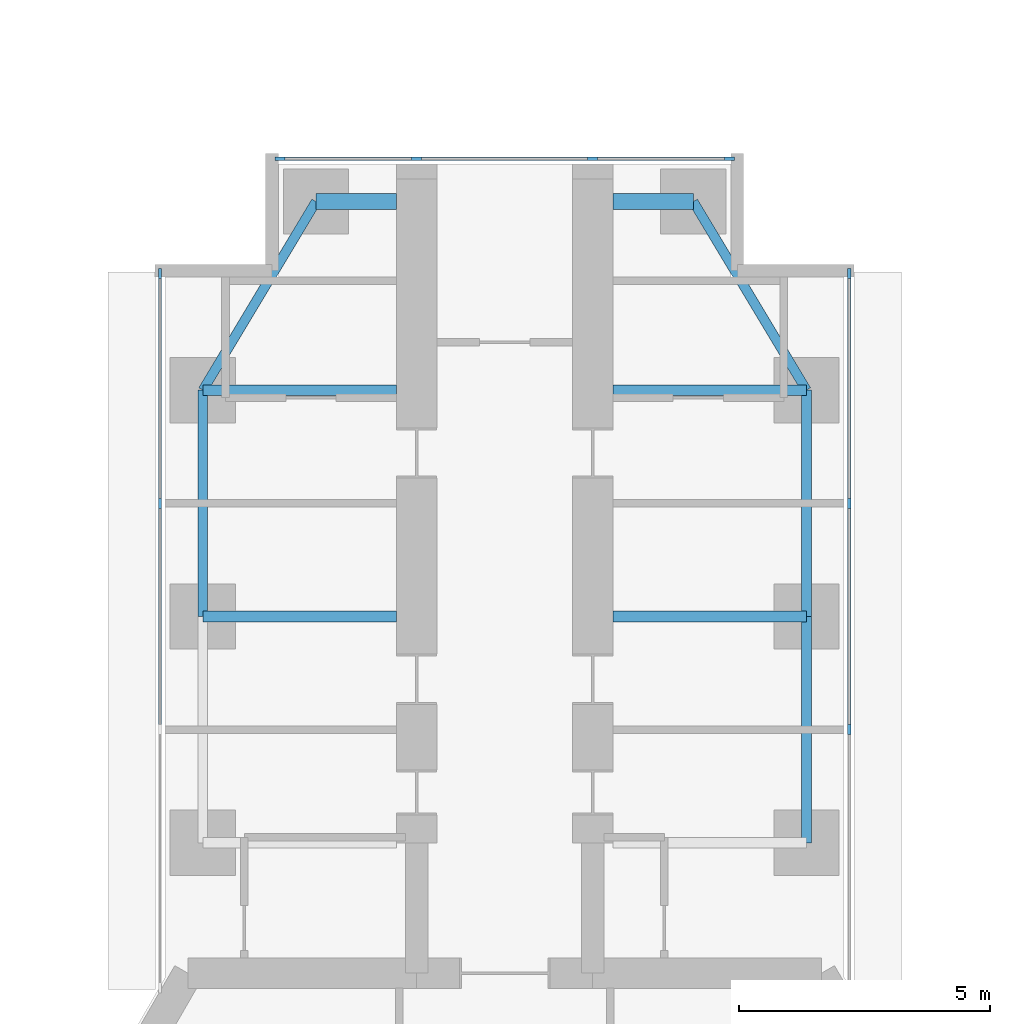
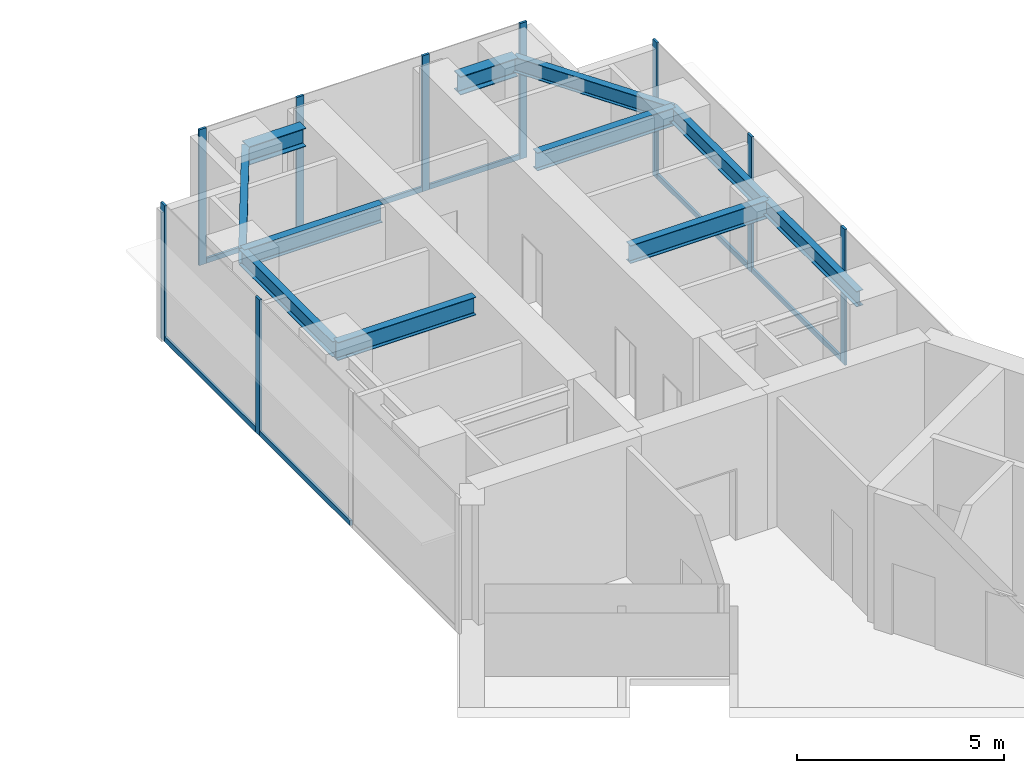
# One storey, part 12 of 22: 16 members, 11 beams, 3 elements without a shape of their own.
"""IFC4 building model written with IfcOpenShell, lengths in metres."""

import ifcopenshell
import ifcopenshell.guid

model = None  # the IFC model being written
_history = None  # IfcOwnerHistory: only IFC2X3 demands one
_inside = {}  # id of a spatial element -> (the spatial element, [elements in it])
_under = {}  # id of a project, library or spatial element -> (it, [spatial elements below it])
_declared = {}  # id of a project -> (the project, [libraries it declares])
_typed = {}  # id of a type object -> (the type object, [elements of that type])
_made_of = {}  # id of a material, layer set ... -> (it, [elements and type objects made of it])


def new_model(schema):
    """Start an empty IFC model of exactly this schema.

    Asked for "IFC4X3", IfcOpenShell would pick the latest addendum, in which some entities
    have other attributes; the version numbers below select the first issue.
    IFC2X3 requires an IfcOwnerHistory on every rooted entity: one is made here for all.
    """
    global model, _history
    if schema == "IFC4X3":
        model = ifcopenshell.file(schema_version=(4, 3, 0, 0))
    else:
        model = ifcopenshell.file(schema=schema)
    _inside.clear()
    _under.clear()
    _declared.clear()
    _typed.clear()
    _made_of.clear()
    _history = None
    if model.schema == "IFC2X3":
        org = make("IfcOrganization", Name="unknown")
        user = make(
            "IfcPersonAndOrganization",
            ThePerson=make("IfcPerson", FamilyName="unknown"),
            TheOrganization=org,
        )
        app = make(
            "IfcApplication",
            ApplicationDeveloper=org,
            Version="unknown",
            ApplicationFullName="unknown",
            ApplicationIdentifier="unknown",
        )
        _history = make(
            "IfcOwnerHistory",
            OwningUser=user,
            OwningApplication=app,
            ChangeAction="ADDED",
            CreationDate=0,
        )
    return model


def make(cls, **values):
    """One entity of the class cls with the attributes given. An attribute that is None is left unset."""
    return model.create_entity(
        cls, **{name: value for name, value in values.items() if value is not None}
    )


def rooted(cls, **values):
    """An entity with a GlobalId (a new one), such as an element, a storey or a relation."""
    return make(cls, GlobalId=ifcopenshell.guid.new(), OwnerHistory=_history, **values)


def si_unit(unit_type, name, prefix=None):
    """IfcSIUnit, for example si_unit("LENGTHUNIT", "METRE", prefix="MILLI")."""
    return make("IfcSIUnit", UnitType=unit_type, Prefix=prefix, Name=name)


def assignment(units):
    """IfcUnitAssignment: the units of a project."""
    return None if units is None else make("IfcUnitAssignment", Units=units)


def point(xyz):
    """IfcCartesianPoint."""
    return None if xyz is None else make("IfcCartesianPoint", Coordinates=xyz)


def direction(xyz):
    """IfcDirection."""
    return None if xyz is None else make("IfcDirection", DirectionRatios=xyz)


def frame(location, z_axis=None, x_axis=None):
    """IfcAxis2Placement3D, a coordinate frame: its origin and axes. An axis left out is left unset."""
    return make(
        "IfcAxis2Placement3D",
        Location=point(location),
        Axis=direction(z_axis),
        RefDirection=direction(x_axis),
    )


def frame_2d(location, x_axis=None):
    """IfcAxis2Placement2D, a coordinate frame in the plane: its origin and x axis."""
    return make(
        "IfcAxis2Placement2D", Location=point(location), RefDirection=direction(x_axis)
    )


def origin():
    """The frame at (0, 0, 0) with its axes left unset."""
    return frame((0.0, 0.0, 0.0))


def origin_2d():
    """The frame at (0, 0) in the plane with its x axis left unset."""
    return frame_2d((0.0, 0.0))


def place(relative_to, where):
    """IfcLocalPlacement: puts the frame where relative to a parent placement (None: the world)."""
    return make(
        "IfcLocalPlacement", PlacementRelTo=relative_to, RelativePlacement=where
    )


def context(
    kind, dimensions, precision=None, world=None, true_north=None, identifier=None
):
    """IfcGeometricRepresentationContext, for example the 3D "Model" context."""
    return make(
        "IfcGeometricRepresentationContext",
        ContextIdentifier=identifier,
        ContextType=kind,
        CoordinateSpaceDimension=dimensions,
        Precision=precision,
        WorldCoordinateSystem=world,
        TrueNorth=true_north,
    )


def subcontext(parent, identifier, kind, view, scale=None):
    """IfcGeometricRepresentationSubContext, for example "Body" below "Model"."""
    return make(
        "IfcGeometricRepresentationSubContext",
        ContextIdentifier=identifier,
        ContextType=kind,
        ParentContext=parent,
        TargetScale=scale,
        TargetView=view,
    )


def project(units=None, contexts=None):
    """IfcProject with its units and contexts."""
    return rooted(
        "IfcProject",
        Name="project",
        RepresentationContexts=contexts,
        UnitsInContext=assignment(units),
    )


def spatial(cls, under=None, at=None, **own):
    """A site, building, storey or space (cls), placed at a placement, below another one or the project."""
    s = rooted(cls, ObjectPlacement=at, **own)
    if under is not None:
        _under.setdefault(under.id(), (under, []))[1].append(s)
    return s


def profile(cls, at=None, kind="AREA", **sizes):
    """A parametric profile (cls). Its sizes go by their IFC names, for example OverallWidth=200.0."""
    return make(cls, ProfileType=kind, Position=at, **sizes)


def rectangle(**sizes):
    """IfcRectangleProfileDef."""
    return profile("IfcRectangleProfileDef", **sizes)


def i_section(**sizes):
    """IfcIShapeProfileDef."""
    return profile("IfcIShapeProfileDef", **sizes)


def extrude(swept, where, along, depth):
    """IfcExtrudedAreaSolid: the profile swept, set in the frame where, extruded along a direction by depth."""
    return make(
        "IfcExtrudedAreaSolid",
        SweptArea=swept,
        Position=where,
        ExtrudedDirection=direction(along),
        Depth=depth,
    )


def shape(context_of_items, identifier, shape_type, items):
    """IfcShapeRepresentation: the items that make up one representation, for example the "Body"."""
    return make(
        "IfcShapeRepresentation",
        ContextOfItems=context_of_items,
        RepresentationIdentifier=identifier,
        RepresentationType=shape_type,
        Items=items,
    )


def material(Name=None, Category=None):
    """IfcMaterial."""
    return make("IfcMaterial", Name=Name, Category=Category)


def material_profile(
    of_material, cross_section, Name=None, Category=None, Priority=None
):
    """IfcMaterialProfile: a cross section and its material."""
    return make(
        "IfcMaterialProfile",
        Name=Name,
        Material=of_material,
        Profile=cross_section,
        Priority=Priority,
        Category=Category,
    )


def profile_set(profiles, Name=None, composite=None):
    """IfcMaterialProfileSet."""
    return make(
        "IfcMaterialProfileSet",
        Name=Name,
        MaterialProfiles=profiles,
        CompositeProfile=composite,
    )


def made_of(thing, what):
    """Note that an element or type object is made of a material, layer set ...; save() writes the relation."""
    if what is not None:
        _made_of.setdefault(what.id(), (what, []))[1].append(thing)
    return thing


def type_object(cls, material=None, **own):
    """A type object (cls), such as IfcWallType, which elements share."""
    return made_of(rooted(cls, **own), material)


def element(
    cls,
    number,
    at=None,
    inside=None,
    cuts=None,
    type_object=None,
    material=None,
    context=None,
    identifier="Body",
    shape_type=None,
    held_by="IfcProductDefinitionShape",
    body=None,
    shapes=None,
    **own,
):
    """One element of the class cls, such as IfcWall. Its Tag is "e" and its number.

    at: its placement. inside: the storey or other place that contains it. cuts: it is an
    opening in that element (IfcRelVoidsElement). A single representation is given by context,
    identifier, shape_type and body (its items); several are given by shapes. held_by: the class
    of the entity that holds the representations. save() writes the other relations.
    """
    e = rooted(cls, Tag="e%d" % number, ObjectPlacement=at, **own)
    if body is not None:
        shapes = [shape(context, identifier, shape_type, body)]
    if shapes is not None:
        e.Representation = make(held_by, Representations=shapes)
    if inside is not None:
        _inside.setdefault(inside.id(), (inside, []))[1].append(e)
    if cuts is not None:
        rooted(
            "IfcRelVoidsElement", RelatingBuildingElement=cuts, RelatedOpeningElement=e
        )
    if type_object is not None:
        _typed.setdefault(type_object.id(), (type_object, []))[1].append(e)
    return made_of(e, material)


def aggregate(whole, parts):
    """IfcRelAggregates: a whole, such as a stair, and the parts it consists of."""
    return rooted("IfcRelAggregates", RelatingObject=whole, RelatedObjects=parts)


def save(model, path):
    """Write the relations noted so far, then the file.

    IfcRelAggregates (storeys below a building ...), IfcRelContainedInSpatialStructure (elements
    in a storey), IfcRelDefinesByType, IfcRelAssociatesMaterial and IfcRelDeclares: one each for
    every whole, place, type object, material and project.
    """
    for whole, parts in _under.values():
        aggregate(whole, parts)
    for where, things in _inside.values():
        rooted(
            "IfcRelContainedInSpatialStructure",
            RelatedElements=things,
            RelatingStructure=where,
        )
    for kind, things in _typed.values():
        rooted("IfcRelDefinesByType", RelatedObjects=things, RelatingType=kind)
    for what, things in _made_of.values():
        rooted("IfcRelAssociatesMaterial", RelatedObjects=things, RelatingMaterial=what)
    for by, libraries in _declared.values():
        rooted("IfcRelDeclares", RelatingContext=by, RelatedDefinitions=libraries)
    model.write(path)


model = new_model("IFC4")

# Units and contexts
model_context = context("Model", 3, precision=1e-05, world=origin(), true_north=direction((0.0, 1.0)))
body_context = subcontext(model_context, "Body", "Model", "MODEL_VIEW")
ifc_project = project(units=[si_unit("LENGTHUNIT", "METRE"), si_unit("AREAUNIT", "SQUARE_METRE"), si_unit("VOLUMEUNIT", "CUBIC_METRE"), si_unit("PLANEANGLEUNIT", "RADIAN"), si_unit("MASSUNIT", "GRAM", prefix="KILO")], contexts=[model_context])

# Site, building, storey
site_placement = place(None, origin())
site = spatial("IfcSite", under=ifc_project, at=site_placement, CompositionType="ELEMENT")
building_placement = place(site_placement, origin())
building = spatial("IfcBuilding", under=site, at=building_placement, Name="Upepo Twin Towers", CompositionType="ELEMENT")
storey_placement = place(building_placement, frame((0.0, 0.0, 133.5)))
storey = spatial("IfcBuildingStorey", under=building, at=storey_placement, Name="L32", CompositionType="ELEMENT", Elevation=133.5)

# Beams
ifc_material_1 = material(Name="Steel S355", Category="steel")
ifc_material_profile_1 = material_profile(ifc_material_1, i_section(OverallWidth=0.1904296875, OverallDepth=0.45703125, WebThickness=0.009033203125, FlangeThickness=0.014404296875, FilletRadius=0.01025390625, at=origin_2d()), Name="UB 457x191x74")
ifc_profile_set_1 = profile_set([ifc_material_profile_1], Name="Steel S355")
beam_type_1 = type_object("IfcBeamType", Name="Beam UB 457x191x74", PredefinedType="BEAM", material=ifc_profile_set_1)
beam_1_placement = place(storey_placement, frame((52.5, 0.0, 3.571533203125), z_axis=(0.0, 1.0, 0.0), x_axis=(-1.0, 0.0, 0.0)))
element("IfcBeam", 1, at=beam_1_placement, inside=storey, type_object=beam_type_1, Name="T2 edge beam AL 18.0-22.5", PredefinedType="BEAM", context=body_context, shape_type="SweptSolid", body=[
    extrude(i_section(OverallWidth=0.1904296875, OverallDepth=0.45703125, WebThickness=0.009033203125, FlangeThickness=0.014404296875, FilletRadius=0.01025390625, at=origin_2d()), origin(), (0.0, 0.0, 1.0), 4.5),
])
beam_2_placement = place(storey_placement, frame((52.5, 4.5, 3.571533203125), z_axis=(0.514495755428, 0.857492925713, 0.0), x_axis=(-0.857492925713, 0.514495755428, 0.0)))
element("IfcBeam", 2, at=beam_2_placement, inside=storey, type_object=beam_type_1, Name="T2 nose edge beam AL", PredefinedType="BEAM", context=body_context, shape_type="SweptSolid", body=[
    extrude(i_section(OverallWidth=0.1904296875, OverallDepth=0.45703125, WebThickness=0.009033203125, FlangeThickness=0.014404296875, FilletRadius=0.01025390625, at=origin_2d()), origin(), (0.0, 0.0, 1.0), 4.373291015625),
])
for number, where, z_axis, x_axis, name in (
    (3, (64.5, -4.5, 3.571533203125), (0.0, 1.0, 0.0), (-1.0, 0.0, 0.0), "T2 edge beam AR 13.5-18.0"),
    (4, (64.5, 0.0, 3.571533203125), (0.0, 1.0, 0.0), (-1.0, 0.0, 0.0), "T2 edge beam AR 18.0-22.5"),
):
    element("IfcBeam", number, at=place(storey_placement, frame(where, z_axis=z_axis, x_axis=x_axis)), inside=storey, type_object=beam_type_1, Name=name, PredefinedType="BEAM", context=body_context, shape_type="SweptSolid", body=[
        extrude(i_section(OverallWidth=0.1904296875, OverallDepth=0.45703125, WebThickness=0.009033203125, FlangeThickness=0.014404296875, FilletRadius=0.01025390625, at=origin_2d()), origin(), (0.0, 0.0, 1.0), 4.5),
    ])
beam_3_placement = place(storey_placement, frame((64.5, 4.5, 3.571533203125), z_axis=(-0.514495755428, 0.857492925713, 0.0), x_axis=(-0.857492925713, -0.514495755428, 0.0)))
element("IfcBeam", 5, at=beam_3_placement, inside=storey, type_object=beam_type_1, Name="T2 nose edge beam AR", PredefinedType="BEAM", context=body_context, shape_type="SweptSolid", body=[
    extrude(i_section(OverallWidth=0.1904296875, OverallDepth=0.45703125, WebThickness=0.009033203125, FlangeThickness=0.014404296875, FilletRadius=0.01025390625, at=origin_2d()), origin(), (0.0, 0.0, 1.0), 4.373291015625),
])
ifc_material_2 = material(Name="Steel S355", Category="steel")
ifc_material_profile_2 = material_profile(ifc_material_2, i_section(OverallWidth=0.209228515625, OverallDepth=0.533203125, WebThickness=0.010009765625, FlangeThickness=0.015625, FilletRadius=0.0126953125, at=origin_2d()), Name="UB 533x210x92")
ifc_profile_set_2 = profile_set([ifc_material_profile_2], Name="Steel S355")
beam_type_2 = type_object("IfcBeamType", Name="Beam UB 533x210x92", PredefinedType="BEAM", material=ifc_profile_set_2)
for number, where, z_axis, x_axis, name in (
    (6, (52.5, 0.0, 3.533447265625), (1.0, 0.0, 0.0), (0.0, 1.0, 0.0), "T2 girder AL at 18.0"),
    (7, (52.5, 4.5, 3.533447265625), (1.0, 0.0, 0.0), (0.0, 1.0, 0.0), "T2 girder AL at 22.5"),
    (8, (64.5, 0.0, 3.533447265625), (-1.0, 0.0, 0.0), (0.0, -1.0, 0.0), "T2 girder AR at 18.0"),
    (9, (64.5, 4.5, 3.533447265625), (-1.0, 0.0, 0.0), (0.0, -1.0, 0.0), "T2 girder AR at 22.5"),
):
    element("IfcBeam", number, at=place(storey_placement, frame(where, z_axis=z_axis, x_axis=x_axis)), inside=storey, type_object=beam_type_2, Name=name, PredefinedType="BEAM", context=body_context, shape_type="SweptSolid", body=[
        extrude(i_section(OverallWidth=0.209228515625, OverallDepth=0.533203125, WebThickness=0.010009765625, FlangeThickness=0.015625, FilletRadius=0.0126953125, at=origin_2d()), origin(), (0.0, 0.0, 1.0), 3.85009765625),
    ])
ifc_material_3 = material(Name="Steel S355", Category="steel")
ifc_material_profile_3 = material_profile(ifc_material_3, i_section(OverallWidth=0.31201171875, OverallDepth=0.54345703125, WebThickness=0.0126953125, FlangeThickness=0.020263671875, FilletRadius=0.0126953125, at=origin_2d()), Name="UB 533x312x150")
ifc_profile_set_3 = profile_set([ifc_material_profile_3], Name="Steel S355")
beam_type_3 = type_object("IfcBeamType", Name="Beam UB 533x312x150", PredefinedType="BEAM", material=ifc_profile_set_3)
for number, where, z_axis, x_axis, name in (
    (10, (54.75, 8.25, 3.5283203125), (1.0, 0.0, 0.0), (0.0, 1.0, 0.0), "T2 nose beam AL"),
    (11, (62.25, 8.25, 3.5283203125), (-1.0, 0.0, 0.0), (0.0, -1.0, 0.0), "T2 nose beam AR"),
):
    element("IfcBeam", number, at=place(storey_placement, frame(where, z_axis=z_axis, x_axis=x_axis)), inside=storey, type_object=beam_type_3, Name=name, PredefinedType="BEAM", context=body_context, shape_type="SweptSolid", body=[
        extrude(i_section(OverallWidth=0.31201171875, OverallDepth=0.54345703125, WebThickness=0.0126953125, FlangeThickness=0.020263671875, FilletRadius=0.0126953125, at=origin_2d()), origin(), (0.0, 0.0, 1.0), 1.60009765625),
    ])

# Curtain wall, members
ifc_material_4 = material(Name="Aluminium and fritted glass", Category="aluminium")
curtain_wall_type = type_object("IfcCurtainWallType", Name="Tower curtain wall TW2, fritted glass", PredefinedType="NOTDEFINED", material=ifc_material_4)
curtain_wall_1_placement = place(storey_placement, origin())
curtain_wall_1 = element("IfcCurtainWall", 12, at=curtain_wall_1_placement, inside=storey, type_object=curtain_wall_type, Name="T2 L32 wing A flank L curtain wall", PredefinedType="NOTDEFINED")
ifc_material_5 = material(Name="Aluminium mullion", Category="aluminium")
ifc_material_profile_4 = material_profile(ifc_material_5, rectangle(XDim=0.06494140625, YDim=0.199951171875, at=origin_2d()), Name="MULLION 65x200")
ifc_profile_set_4 = profile_set([ifc_material_profile_4], Name="Aluminium mullion")
member_type_1 = type_object("IfcMemberType", Name="Mullion 65x200 TW2", PredefinedType="MULLION", material=ifc_profile_set_4)
member_1_placement = place(storey_placement, frame((51.64990234375, 2.25, 0.0), z_axis=(0.0, 0.0, 1.0), x_axis=(-1.0, 0.0, 0.0)))
member_1 = element("IfcMember", 13, at=member_1_placement, type_object=member_type_1, Name="T2 L32 wing A flank L curtain wall mullion 3", PredefinedType="MULLION", context=body_context, shape_type="SweptSolid", body=[
    extrude(rectangle(XDim=0.06494140625, YDim=0.199951171875, at=origin_2d()), origin(), (0.0, 0.0, 1.0), 4.0),
])
member_2_placement = place(storey_placement, frame((51.64990234375, 6.8173828125, 0.0), z_axis=(0.0, 0.0, 1.0), x_axis=(-1.0, 0.0, 0.0)))
member_2 = element("IfcMember", 14, at=member_2_placement, type_object=member_type_1, Name="T2 L32 wing A flank L curtain wall mullion 4", PredefinedType="MULLION", context=body_context, shape_type="SweptSolid", body=[
    extrude(rectangle(XDim=0.06494140625, YDim=0.199951171875, at=origin_2d()), origin(), (0.0, 0.0, 1.0), 4.0),
])

curtain_wall_2_placement = place(storey_placement, origin())
curtain_wall_2 = element("IfcCurtainWall", 15, at=curtain_wall_2_placement, inside=storey, type_object=curtain_wall_type, Name="T2 L32 wing A flank R curtain wall", PredefinedType="NOTDEFINED")
member_3_placement = place(storey_placement, frame((65.35009765625, 6.8173828125, 0.0), z_axis=(0.0, 0.0, 1.0), x_axis=(1.0, 0.0, 0.0)))
member_3 = element("IfcMember", 16, at=member_3_placement, type_object=member_type_1, Name="T2 L32 wing A flank R curtain wall mullion 1", PredefinedType="MULLION", context=body_context, shape_type="SweptSolid", body=[
    extrude(rectangle(XDim=0.06494140625, YDim=0.199951171875, at=origin_2d()), origin(), (0.0, 0.0, 1.0), 4.0),
])
member_4_placement = place(storey_placement, frame((65.35009765625, 2.25, 0.0), z_axis=(0.0, 0.0, 1.0), x_axis=(1.0, 0.0, 0.0)))
member_4 = element("IfcMember", 17, at=member_4_placement, type_object=member_type_1, Name="T2 L32 wing A flank R curtain wall mullion 2", PredefinedType="MULLION", context=body_context, shape_type="SweptSolid", body=[
    extrude(rectangle(XDim=0.06494140625, YDim=0.199951171875, at=origin_2d()), origin(), (0.0, 0.0, 1.0), 4.0),
])
member_5_placement = place(storey_placement, frame((65.35009765625, -2.25, 0.0), z_axis=(0.0, 0.0, 1.0), x_axis=(1.0, 0.0, 0.0)))
member_5 = element("IfcMember", 18, at=member_5_placement, type_object=member_type_1, Name="T2 L32 wing A flank R curtain wall mullion 3", PredefinedType="MULLION", context=body_context, shape_type="SweptSolid", body=[
    extrude(rectangle(XDim=0.06494140625, YDim=0.199951171875, at=origin_2d()), origin(), (0.0, 0.0, 1.0), 4.0),
])

curtain_wall_3_placement = place(storey_placement, origin())
curtain_wall_3 = element("IfcCurtainWall", 19, at=curtain_wall_3_placement, inside=storey, type_object=curtain_wall_type, Name="T2 L32 wing A nose curtain wall", PredefinedType="NOTDEFINED")
member_6_placement = place(storey_placement, frame((62.967529296875, 9.10009765625, 0.0), z_axis=(0.0, 0.0, 1.0), x_axis=(0.0, -1.0, 0.0)))
member_6 = element("IfcMember", 20, at=member_6_placement, type_object=member_type_1, Name="T2 L32 wing A nose curtain wall mullion 1", PredefinedType="MULLION", context=body_context, shape_type="SweptSolid", body=[
    extrude(rectangle(XDim=0.06494140625, YDim=0.199951171875, at=origin_2d()), origin(), (0.0, 0.0, 1.0), 4.0),
])
member_7_placement = place(storey_placement, frame((60.25, 9.10009765625, 0.0), z_axis=(0.0, 0.0, 1.0), x_axis=(0.0, -1.0, 0.0)))
member_7 = element("IfcMember", 21, at=member_7_placement, type_object=member_type_1, Name="T2 L32 wing A nose curtain wall mullion 2", PredefinedType="MULLION", context=body_context, shape_type="SweptSolid", body=[
    extrude(rectangle(XDim=0.06494140625, YDim=0.199951171875, at=origin_2d()), origin(), (0.0, 0.0, 1.0), 4.0),
])
member_8_placement = place(storey_placement, frame((56.75, 9.10009765625, 0.0), z_axis=(0.0, 0.0, 1.0), x_axis=(0.0, -1.0, 0.0)))
member_8 = element("IfcMember", 22, at=member_8_placement, type_object=member_type_1, Name="T2 L32 wing A nose curtain wall mullion 3", PredefinedType="MULLION", context=body_context, shape_type="SweptSolid", body=[
    extrude(rectangle(XDim=0.06494140625, YDim=0.199951171875, at=origin_2d()), origin(), (0.0, 0.0, 1.0), 4.0),
])
member_9_placement = place(storey_placement, frame((54.032470703125, 9.10009765625, 0.0), z_axis=(0.0, 0.0, 1.0), x_axis=(0.0, -1.0, 0.0)))
member_9 = element("IfcMember", 23, at=member_9_placement, type_object=member_type_1, Name="T2 L32 wing A nose curtain wall mullion 4", PredefinedType="MULLION", context=body_context, shape_type="SweptSolid", body=[
    extrude(rectangle(XDim=0.06494140625, YDim=0.199951171875, at=origin_2d()), origin(), (0.0, 0.0, 1.0), 4.0),
])

# Member
ifc_material_6 = material(Name="Aluminium transom", Category="aluminium")
ifc_material_profile_5 = material_profile(ifc_material_6, rectangle(XDim=0.06494140625, YDim=0.14990234375, at=origin_2d()), Name="TRANSOM 65x150")
ifc_profile_set_5 = profile_set([ifc_material_profile_5], Name="Aluminium transom")
member_type_2 = type_object("IfcMemberType", Name="Transom 65x150 TW2", PredefinedType="USERDEFINED", material=ifc_profile_set_5)
member_10_placement = place(storey_placement, frame((51.64990234375, -2.217529296875, 0.074951171875), z_axis=(0.0, 1.0, 0.0), x_axis=(-1.0, 0.0, 0.0)))
member_10 = element("IfcMember", 24, at=member_10_placement, type_object=member_type_2, Name="T2 L32 wing A flank L curtain wall transom 2", ObjectType="TRANSOM", PredefinedType="USERDEFINED", context=body_context, shape_type="SweptSolid", body=[
    extrude(rectangle(XDim=0.06494140625, YDim=0.14990234375, at=origin_2d()), origin(), (0.0, 0.0, 1.0), 4.43505859375),
])

member_11_placement = place(storey_placement, frame((51.64990234375, 2.282470703125, 0.074951171875), z_axis=(0.0, 1.0, 0.0), x_axis=(-1.0, 0.0, 0.0)))
member_11 = element("IfcMember", 25, at=member_11_placement, type_object=member_type_2, Name="T2 L32 wing A flank L curtain wall transom 3", ObjectType="TRANSOM", PredefinedType="USERDEFINED", context=body_context, shape_type="SweptSolid", body=[
    extrude(rectangle(XDim=0.06494140625, YDim=0.14990234375, at=origin_2d()), origin(), (0.0, 0.0, 1.0), 4.50244140625),
])

aggregate(curtain_wall_1, [member_1, member_2, member_10, member_11])

member_12_placement = place(storey_placement, frame((65.35009765625, 6.784912109375, 0.074951171875), z_axis=(0.0, -1.0, 0.0), x_axis=(1.0, 0.0, 0.0)))
member_12 = element("IfcMember", 26, at=member_12_placement, type_object=member_type_2, Name="T2 L32 wing A flank R curtain wall transom 1", ObjectType="TRANSOM", PredefinedType="USERDEFINED", context=body_context, shape_type="SweptSolid", body=[
    extrude(rectangle(XDim=0.06494140625, YDim=0.14990234375, at=origin_2d()), origin(), (0.0, 0.0, 1.0), 4.50244140625),
])

member_13_placement = place(storey_placement, frame((65.35009765625, 2.217529296875, 0.074951171875), z_axis=(0.0, -1.0, 0.0), x_axis=(1.0, 0.0, 0.0)))
member_13 = element("IfcMember", 27, at=member_13_placement, type_object=member_type_2, Name="T2 L32 wing A flank R curtain wall transom 2", ObjectType="TRANSOM", PredefinedType="USERDEFINED", context=body_context, shape_type="SweptSolid", body=[
    extrude(rectangle(XDim=0.06494140625, YDim=0.14990234375, at=origin_2d()), origin(), (0.0, 0.0, 1.0), 4.43505859375),
])

aggregate(curtain_wall_2, [member_3, member_4, member_5, member_12, member_13])

member_14_placement = place(storey_placement, frame((62.93505859375, 9.10009765625, 0.074951171875), z_axis=(-1.0, 0.0, 0.0), x_axis=(0.0, -1.0, 0.0)))
member_14 = element("IfcMember", 28, at=member_14_placement, type_object=member_type_2, Name="T2 L32 wing A nose curtain wall transom 1", ObjectType="TRANSOM", PredefinedType="USERDEFINED", context=body_context, shape_type="SweptSolid", body=[
    extrude(rectangle(XDim=0.06494140625, YDim=0.14990234375, at=origin_2d()), origin(), (0.0, 0.0, 1.0), 2.652587890625),
])

member_15_placement = place(storey_placement, frame((60.217529296875, 9.10009765625, 0.074951171875), z_axis=(-1.0, 0.0, 0.0), x_axis=(0.0, -1.0, 0.0)))
member_15 = element("IfcMember", 29, at=member_15_placement, type_object=member_type_2, Name="T2 L32 wing A nose curtain wall transom 2", ObjectType="TRANSOM", PredefinedType="USERDEFINED", context=body_context, shape_type="SweptSolid", body=[
    extrude(rectangle(XDim=0.06494140625, YDim=0.14990234375, at=origin_2d()), origin(), (0.0, 0.0, 1.0), 3.43505859375),
])

member_16_placement = place(storey_placement, frame((56.717529296875, 9.10009765625, 0.074951171875), z_axis=(-1.0, 0.0, 0.0), x_axis=(0.0, -1.0, 0.0)))
member_16 = element("IfcMember", 30, at=member_16_placement, type_object=member_type_2, Name="T2 L32 wing A nose curtain wall transom 3", ObjectType="TRANSOM", PredefinedType="USERDEFINED", context=body_context, shape_type="SweptSolid", body=[
    extrude(rectangle(XDim=0.06494140625, YDim=0.14990234375, at=origin_2d()), origin(), (0.0, 0.0, 1.0), 2.652587890625),
])

aggregate(curtain_wall_3, [member_6, member_7, member_8, member_9, member_14, member_15, member_16])

save(model, "model.ifc")
